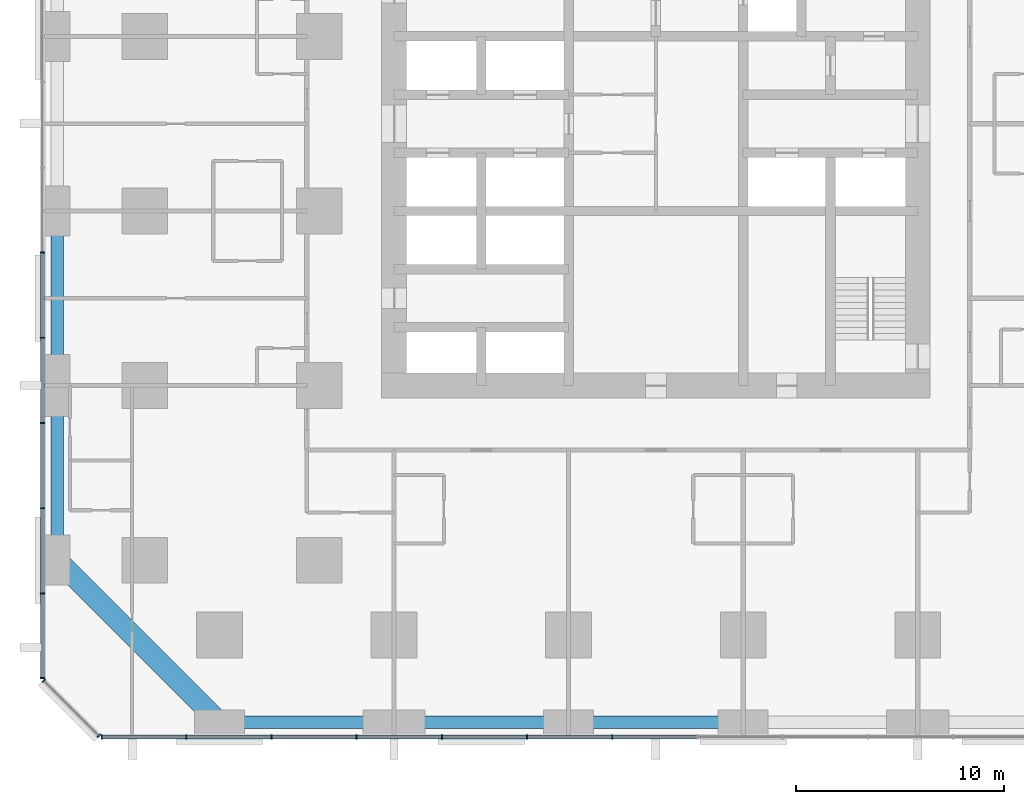
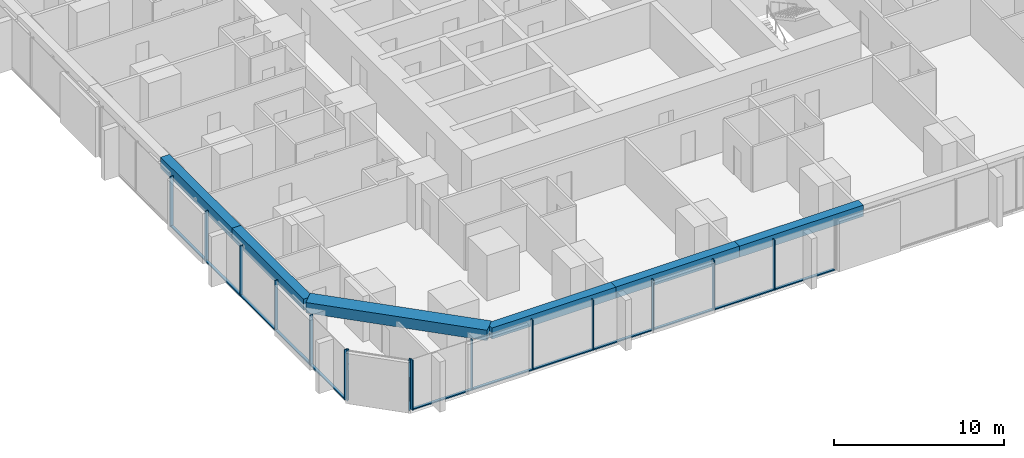
# One storey, part 2 of 13: 27 members, 6 beams, 3 elements without a shape of their own.
"""IFC4 building model written with IfcOpenShell, lengths in metres."""

from ifc_helpers import new_model, si_unit, direction, frame, origin, origin_2d, place, context, subcontext, project, spatial, rectangle, extrude, material, material_profile, profile_set, type_object, element, aggregate, save


model = new_model("IFC4")

# Units and contexts
model_context = context("Model", 3, precision=1e-05, world=origin(), true_north=direction((0.0, 1.0)))
body_context = subcontext(model_context, "Body", "Model", "MODEL_VIEW")
ifc_project = project(units=[si_unit("LENGTHUNIT", "METRE"), si_unit("AREAUNIT", "SQUARE_METRE"), si_unit("VOLUMEUNIT", "CUBIC_METRE"), si_unit("PLANEANGLEUNIT", "RADIAN"), si_unit("MASSUNIT", "GRAM", prefix="KILO")], contexts=[model_context])

# Site, building, storey
site_placement = place(None, origin())
site = spatial("IfcSite", under=ifc_project, at=site_placement, CompositionType="ELEMENT")
building_placement = place(site_placement, origin())
building = spatial("IfcBuilding", under=site, at=building_placement, Name="Dunama Terrace Hotel", CompositionType="ELEMENT")
storey_placement = place(building_placement, frame((0.0, 0.0, 97.199951171875)))
storey = spatial("IfcBuildingStorey", under=building, at=storey_placement, Name="L24", CompositionType="ELEMENT", Elevation=97.199951171875)

# Curtain wall, members
ifc_material_1 = material(Name="Aluminium curtain wall system", Category="aluminium")
curtain_wall_type = type_object("IfcCurtainWallType", Name="Unitised fritted glass wall CW-B", PredefinedType="NOTDEFINED", material=ifc_material_1)
curtain_wall_1_placement = place(storey_placement, origin())
curtain_wall_1 = element("IfcCurtainWall", 1, at=curtain_wall_1_placement, inside=storey, type_object=curtain_wall_type, Name="Unitised fritted glass wall CW-B L24", PredefinedType="NOTDEFINED")
ifc_material_2 = material(Name="Aluminium mullion", Category="aluminium")
ifc_material_profile_1 = material_profile(ifc_material_2, rectangle(XDim=0.06494140625, YDim=0.219970703125, at=origin_2d()), Name="CWB MULLION 65X220")
ifc_profile_set_1 = profile_set([ifc_material_profile_1], Name="Aluminium mullion")
member_type_1 = type_object("IfcMemberType", Name="CWB mullion 65x220", PredefinedType="MULLION", material=ifc_profile_set_1)
member_1_placement = place(storey_placement, frame((2.73291015625, -0.110107421875, 0.0), z_axis=(0.0, 0.0, 1.0), x_axis=(1.0, 0.0, 0.0)))
member_1 = element("IfcMember", 2, at=member_1_placement, type_object=member_type_1, Name="CWB mullion", PredefinedType="MULLION", context=body_context, shape_type="SweptSolid", body=[
    extrude(rectangle(XDim=0.06494140625, YDim=0.219970703125, at=origin_2d()), origin(), (0.0, 0.0, 1.0), 3.60009765625),
])
member_2_placement = place(storey_placement, frame((6.800048828125, -0.110107421875, 0.0), z_axis=(0.0, 0.0, 1.0), x_axis=(1.0, 0.0, 0.0)))
member_2 = element("IfcMember", 3, at=member_2_placement, type_object=member_type_1, Name="CWB mullion", PredefinedType="MULLION", context=body_context, shape_type="SweptSolid", body=[
    extrude(rectangle(XDim=0.06494140625, YDim=0.219970703125, at=origin_2d()), origin(), (0.0, 0.0, 1.0), 3.60009765625),
])
member_3_placement = place(storey_placement, frame((10.89990234375, -0.110107421875, 0.0), z_axis=(0.0, 0.0, 1.0), x_axis=(1.0, 0.0, 0.0)))
member_3 = element("IfcMember", 4, at=member_3_placement, type_object=member_type_1, Name="CWB mullion", PredefinedType="MULLION", context=body_context, shape_type="SweptSolid", body=[
    extrude(rectangle(XDim=0.06494140625, YDim=0.219970703125, at=origin_2d()), origin(), (0.0, 0.0, 1.0), 3.60009765625),
])
member_4_placement = place(storey_placement, frame((15.0, -0.110107421875, 0.0), z_axis=(0.0, 0.0, 1.0), x_axis=(1.0, 0.0, 0.0)))
member_4 = element("IfcMember", 5, at=member_4_placement, type_object=member_type_1, Name="CWB mullion", PredefinedType="MULLION", context=body_context, shape_type="SweptSolid", body=[
    extrude(rectangle(XDim=0.06494140625, YDim=0.219970703125, at=origin_2d()), origin(), (0.0, 0.0, 1.0), 3.60009765625),
])
member_5_placement = place(storey_placement, frame((19.10009765625, -0.110107421875, 0.0), z_axis=(0.0, 0.0, 1.0), x_axis=(1.0, 0.0, 0.0)))
member_5 = element("IfcMember", 6, at=member_5_placement, type_object=member_type_1, Name="CWB mullion", PredefinedType="MULLION", context=body_context, shape_type="SweptSolid", body=[
    extrude(rectangle(XDim=0.06494140625, YDim=0.219970703125, at=origin_2d()), origin(), (0.0, 0.0, 1.0), 3.60009765625),
])
member_6_placement = place(storey_placement, frame((23.199951171875, -0.110107421875, 0.0), z_axis=(0.0, 0.0, 1.0), x_axis=(1.0, 0.0, 0.0)))
member_6 = element("IfcMember", 7, at=member_6_placement, type_object=member_type_1, Name="CWB mullion", PredefinedType="MULLION", context=body_context, shape_type="SweptSolid", body=[
    extrude(rectangle(XDim=0.06494140625, YDim=0.219970703125, at=origin_2d()), origin(), (0.0, 0.0, 1.0), 3.60009765625),
])
member_7_placement = place(storey_placement, frame((27.300048828125, -0.110107421875, 0.0), z_axis=(0.0, 0.0, 1.0), x_axis=(1.0, 0.0, 0.0)))
member_7 = element("IfcMember", 8, at=member_7_placement, type_object=member_type_1, Name="CWB mullion", PredefinedType="MULLION", context=body_context, shape_type="SweptSolid", body=[
    extrude(rectangle(XDim=0.06494140625, YDim=0.219970703125, at=origin_2d()), origin(), (0.0, 0.0, 1.0), 3.60009765625),
])

curtain_wall_2_placement = place(storey_placement, origin())
curtain_wall_2 = element("IfcCurtainWall", 9, at=curtain_wall_2_placement, inside=storey, type_object=curtain_wall_type, Name="Unitised fritted glass wall CW-B L24", PredefinedType="NOTDEFINED")
member_8_placement = place(storey_placement, frame((-0.110107421875, 23.199951171875, 0.0), z_axis=(0.0, 0.0, 1.0), x_axis=(0.0, -1.0, 0.0)))
member_8 = element("IfcMember", 10, at=member_8_placement, type_object=member_type_1, Name="CWB mullion", PredefinedType="MULLION", context=body_context, shape_type="SweptSolid", body=[
    extrude(rectangle(XDim=0.06494140625, YDim=0.219970703125, at=origin_2d()), origin(), (0.0, 0.0, 1.0), 3.60009765625),
])
member_9_placement = place(storey_placement, frame((-0.110107421875, 19.10009765625, 0.0), z_axis=(0.0, 0.0, 1.0), x_axis=(0.0, -1.0, 0.0)))
member_9 = element("IfcMember", 11, at=member_9_placement, type_object=member_type_1, Name="CWB mullion", PredefinedType="MULLION", context=body_context, shape_type="SweptSolid", body=[
    extrude(rectangle(XDim=0.06494140625, YDim=0.219970703125, at=origin_2d()), origin(), (0.0, 0.0, 1.0), 3.60009765625),
])
member_10_placement = place(storey_placement, frame((-0.110107421875, 15.0, 0.0), z_axis=(0.0, 0.0, 1.0), x_axis=(0.0, -1.0, 0.0)))
member_10 = element("IfcMember", 12, at=member_10_placement, type_object=member_type_1, Name="CWB mullion", PredefinedType="MULLION", context=body_context, shape_type="SweptSolid", body=[
    extrude(rectangle(XDim=0.06494140625, YDim=0.219970703125, at=origin_2d()), origin(), (0.0, 0.0, 1.0), 3.60009765625),
])
member_11_placement = place(storey_placement, frame((-0.110107421875, 10.89990234375, 0.0), z_axis=(0.0, 0.0, 1.0), x_axis=(0.0, -1.0, 0.0)))
member_11 = element("IfcMember", 13, at=member_11_placement, type_object=member_type_1, Name="CWB mullion", PredefinedType="MULLION", context=body_context, shape_type="SweptSolid", body=[
    extrude(rectangle(XDim=0.06494140625, YDim=0.219970703125, at=origin_2d()), origin(), (0.0, 0.0, 1.0), 3.60009765625),
])
member_12_placement = place(storey_placement, frame((-0.110107421875, 6.800048828125, 0.0), z_axis=(0.0, 0.0, 1.0), x_axis=(0.0, -1.0, 0.0)))
member_12 = element("IfcMember", 14, at=member_12_placement, type_object=member_type_1, Name="CWB mullion", PredefinedType="MULLION", context=body_context, shape_type="SweptSolid", body=[
    extrude(rectangle(XDim=0.06494140625, YDim=0.219970703125, at=origin_2d()), origin(), (0.0, 0.0, 1.0), 3.60009765625),
])
member_13_placement = place(storey_placement, frame((-0.110107421875, 2.73291015625, 0.0), z_axis=(0.0, 0.0, 1.0), x_axis=(0.0, -1.0, 0.0)))
member_13 = element("IfcMember", 15, at=member_13_placement, type_object=member_type_1, Name="CWB mullion", PredefinedType="MULLION", context=body_context, shape_type="SweptSolid", body=[
    extrude(rectangle(XDim=0.06494140625, YDim=0.219970703125, at=origin_2d()), origin(), (0.0, 0.0, 1.0), 3.60009765625),
])

curtain_wall_3_placement = place(storey_placement, origin())
curtain_wall_3 = element("IfcCurtainWall", 16, at=curtain_wall_3_placement, inside=storey, type_object=curtain_wall_type, Name="Unitised fritted glass wall CW-B L24", PredefinedType="NOTDEFINED")
member_14_placement = place(storey_placement, frame((-0.054931640625, 2.59912109375, 0.0), z_axis=(0.0, 0.0, 1.0), x_axis=(0.707106781187, -0.707106781187, 0.0)))
member_14 = element("IfcMember", 17, at=member_14_placement, type_object=member_type_1, Name="CWB mullion", PredefinedType="MULLION", context=body_context, shape_type="SweptSolid", body=[
    extrude(rectangle(XDim=0.06494140625, YDim=0.219970703125, at=origin_2d()), origin(), (0.0, 0.0, 1.0), 3.60009765625),
])
member_15_placement = place(storey_placement, frame((2.59912109375, -0.054931640625, 0.0), z_axis=(0.0, 0.0, 1.0), x_axis=(0.707106781187, -0.707106781187, 0.0)))
member_15 = element("IfcMember", 18, at=member_15_placement, type_object=member_type_1, Name="CWB mullion", PredefinedType="MULLION", context=body_context, shape_type="SweptSolid", body=[
    extrude(rectangle(XDim=0.06494140625, YDim=0.219970703125, at=origin_2d()), origin(), (0.0, 0.0, 1.0), 3.60009765625),
])
aggregate(curtain_wall_3, [member_14, member_15])

# Member
ifc_material_3 = material(Name="Aluminium transom", Category="aluminium")
ifc_material_profile_2 = material_profile(ifc_material_3, rectangle(XDim=0.179931640625, YDim=0.080078125, at=origin_2d()), Name="CWB TRANSOM 180X80")
ifc_profile_set_2 = profile_set([ifc_material_profile_2], Name="Aluminium transom")
member_type_2 = type_object("IfcMemberType", Name="CWB transom 180x80", PredefinedType="USERDEFINED", material=ifc_profile_set_2)
member_16_placement = place(storey_placement, frame((2.764892578125, -0.110107421875, 0.0400390625), z_axis=(1.0, 0.0, 0.0), x_axis=(0.0, 1.0, 0.0)))
member_16 = element("IfcMember", 19, at=member_16_placement, type_object=member_type_2, Name="CWB transom", ObjectType="TRANSOM", PredefinedType="USERDEFINED", context=body_context, shape_type="SweptSolid", body=[
    extrude(rectangle(XDim=0.179931640625, YDim=0.080078125, at=origin_2d()), origin(), (0.0, 0.0, 1.0), 4.003173828125),
])

member_17_placement = place(storey_placement, frame((6.83203125, -0.110107421875, 0.0400390625), z_axis=(1.0, 0.0, 0.0), x_axis=(0.0, 1.0, 0.0)))
member_17 = element("IfcMember", 20, at=member_17_placement, type_object=member_type_2, Name="CWB transom", ObjectType="TRANSOM", PredefinedType="USERDEFINED", context=body_context, shape_type="SweptSolid", body=[
    extrude(rectangle(XDim=0.179931640625, YDim=0.080078125, at=origin_2d()), origin(), (0.0, 0.0, 1.0), 4.034912109375),
])

member_18_placement = place(storey_placement, frame((10.93310546875, -0.110107421875, 0.0400390625), z_axis=(1.0, 0.0, 0.0), x_axis=(0.0, 1.0, 0.0)))
member_18 = element("IfcMember", 21, at=member_18_placement, type_object=member_type_2, Name="CWB transom", ObjectType="TRANSOM", PredefinedType="USERDEFINED", context=body_context, shape_type="SweptSolid", body=[
    extrude(rectangle(XDim=0.179931640625, YDim=0.080078125, at=origin_2d()), origin(), (0.0, 0.0, 1.0), 4.033935546875),
])

member_19_placement = place(storey_placement, frame((15.031982421875, -0.110107421875, 0.0400390625), z_axis=(1.0, 0.0, 0.0), x_axis=(0.0, 1.0, 0.0)))
member_19 = element("IfcMember", 22, at=member_19_placement, type_object=member_type_2, Name="CWB transom", ObjectType="TRANSOM", PredefinedType="USERDEFINED", context=body_context, shape_type="SweptSolid", body=[
    extrude(rectangle(XDim=0.179931640625, YDim=0.080078125, at=origin_2d()), origin(), (0.0, 0.0, 1.0), 4.034912109375),
])

member_20_placement = place(storey_placement, frame((19.132080078125, -0.110107421875, 0.0400390625), z_axis=(1.0, 0.0, 0.0), x_axis=(0.0, 1.0, 0.0)))
member_20 = element("IfcMember", 23, at=member_20_placement, type_object=member_type_2, Name="CWB transom", ObjectType="TRANSOM", PredefinedType="USERDEFINED", context=body_context, shape_type="SweptSolid", body=[
    extrude(rectangle(XDim=0.179931640625, YDim=0.080078125, at=origin_2d()), origin(), (0.0, 0.0, 1.0), 4.035888671875),
])

member_21_placement = place(storey_placement, frame((23.23193359375, -0.110107421875, 0.0400390625), z_axis=(1.0, 0.0, 0.0), x_axis=(0.0, 1.0, 0.0)))
member_21 = element("IfcMember", 24, at=member_21_placement, type_object=member_type_2, Name="CWB transom", ObjectType="TRANSOM", PredefinedType="USERDEFINED", context=body_context, shape_type="SweptSolid", body=[
    extrude(rectangle(XDim=0.179931640625, YDim=0.080078125, at=origin_2d()), origin(), (0.0, 0.0, 1.0), 4.03515625),
])

member_22_placement = place(storey_placement, frame((27.33203125, -0.110107421875, 0.0400390625), z_axis=(1.0, 0.0, 0.0), x_axis=(0.0, 1.0, 0.0)))
member_22 = element("IfcMember", 25, at=member_22_placement, type_object=member_type_2, Name="CWB transom", ObjectType="TRANSOM", PredefinedType="USERDEFINED", context=body_context, shape_type="SweptSolid", body=[
    extrude(rectangle(XDim=0.179931640625, YDim=0.080078125, at=origin_2d()), origin(), (0.0, 0.0, 1.0), 4.034912109375),
])

aggregate(curtain_wall_1, [member_1, member_2, member_3, member_4, member_5, member_6, member_7, member_16, member_17, member_18, member_19, member_20, member_21, member_22])

member_23_placement = place(storey_placement, frame((-0.110107421875, 23.16796875, 0.0400390625), z_axis=(0.0, -1.0, 0.0), x_axis=(1.0, 0.0, 0.0)))
member_23 = element("IfcMember", 26, at=member_23_placement, type_object=member_type_2, Name="CWB transom", ObjectType="TRANSOM", PredefinedType="USERDEFINED", context=body_context, shape_type="SweptSolid", body=[
    extrude(rectangle(XDim=0.179931640625, YDim=0.080078125, at=origin_2d()), origin(), (0.0, 0.0, 1.0), 4.034912109375),
])

member_24_placement = place(storey_placement, frame((-0.110107421875, 19.068115234375, 0.0400390625), z_axis=(0.0, -1.0, 0.0), x_axis=(1.0, 0.0, 0.0)))
member_24 = element("IfcMember", 27, at=member_24_placement, type_object=member_type_2, Name="CWB transom", ObjectType="TRANSOM", PredefinedType="USERDEFINED", context=body_context, shape_type="SweptSolid", body=[
    extrude(rectangle(XDim=0.179931640625, YDim=0.080078125, at=origin_2d()), origin(), (0.0, 0.0, 1.0), 4.0361328125),
])

member_25_placement = place(storey_placement, frame((-0.110107421875, 14.968017578125, 0.0400390625), z_axis=(0.0, -1.0, 0.0), x_axis=(1.0, 0.0, 0.0)))
member_25 = element("IfcMember", 28, at=member_25_placement, type_object=member_type_2, Name="CWB transom", ObjectType="TRANSOM", PredefinedType="USERDEFINED", context=body_context, shape_type="SweptSolid", body=[
    extrude(rectangle(XDim=0.179931640625, YDim=0.080078125, at=origin_2d()), origin(), (0.0, 0.0, 1.0), 4.0361328125),
])

member_26_placement = place(storey_placement, frame((-0.110107421875, 10.866943359375, 0.0400390625), z_axis=(0.0, -1.0, 0.0), x_axis=(1.0, 0.0, 0.0)))
member_26 = element("IfcMember", 29, at=member_26_placement, type_object=member_type_2, Name="CWB transom", ObjectType="TRANSOM", PredefinedType="USERDEFINED", context=body_context, shape_type="SweptSolid", body=[
    extrude(rectangle(XDim=0.179931640625, YDim=0.080078125, at=origin_2d()), origin(), (0.0, 0.0, 1.0), 4.033935546875),
])

member_27_placement = place(storey_placement, frame((-0.110107421875, 6.76806640625, 0.0400390625), z_axis=(0.0, -1.0, 0.0), x_axis=(1.0, 0.0, 0.0)))
member_27 = element("IfcMember", 30, at=member_27_placement, type_object=member_type_2, Name="CWB transom", ObjectType="TRANSOM", PredefinedType="USERDEFINED", context=body_context, shape_type="SweptSolid", body=[
    extrude(rectangle(XDim=0.179931640625, YDim=0.080078125, at=origin_2d()), origin(), (0.0, 0.0, 1.0), 4.003173828125),
])

aggregate(curtain_wall_2, [member_8, member_9, member_10, member_11, member_12, member_13, member_23, member_24, member_25, member_26, member_27])

# Beams
ifc_material_4 = material(Name="Concrete C50/60", Category="concrete")
ifc_material_profile_3 = material_profile(ifc_material_4, rectangle(XDim=1.0, YDim=0.75, at=origin_2d()), Name="RC 1000x750")
ifc_profile_set_3 = profile_set([ifc_material_profile_3], Name="Concrete C50/60")
beam_type_1 = type_object("IfcBeamType", Name="Edge beam RC 1000x750", PredefinedType="SPANDREL", material=ifc_profile_set_3)
beam_1_placement = place(storey_placement, frame((8.39990234375, 0.60009765625, 3.22509765625), z_axis=(-0.707106781187, 0.707106781187, 0.0), x_axis=(-0.707106781187, -0.707106781187, 0.0)))
element("IfcBeam", 31, at=beam_1_placement, inside=storey, type_object=beam_type_1, Name="Corner edge beam under L25", PredefinedType="SPANDREL", context=body_context, shape_type="SweptSolid", body=[
    extrude(rectangle(XDim=1.0, YDim=0.75, at=origin_2d()), origin(), (0.0, 0.0, 1.0), 11.030517578125),
])
ifc_material_5 = material(Name="Concrete C40/50", Category="concrete")
ifc_material_profile_4 = material_profile(ifc_material_5, rectangle(XDim=0.60009765625, YDim=0.800048828125, at=origin_2d()), Name="RC 600x800")
ifc_profile_set_4 = profile_set([ifc_material_profile_4], Name="Concrete C40/50")
beam_type_2 = type_object("IfcBeamType", Name="Edge beam RC 600x800", PredefinedType="SPANDREL", material=ifc_profile_set_4)
beam_2_placement = place(storey_placement, frame((0.60009765625, 8.39990234375, 3.199951171875), z_axis=(0.0, 1.0, 0.0), x_axis=(-1.0, 0.0, 0.0)))
element("IfcBeam", 32, at=beam_2_placement, inside=storey, type_object=beam_type_2, Name="Edge beam under L25", PredefinedType="SPANDREL", context=body_context, shape_type="SweptSolid", body=[
    extrude(rectangle(XDim=0.60009765625, YDim=0.800048828125, at=origin_2d()), origin(), (0.0, 0.0, 1.0), 8.400146484375),
])
beam_3_placement = place(storey_placement, frame((0.60009765625, 16.800048828125, 3.199951171875), z_axis=(0.0, 1.0, 0.0), x_axis=(-1.0, 0.0, 0.0)))
element("IfcBeam", 33, at=beam_3_placement, inside=storey, type_object=beam_type_2, Name="Edge beam under L25", PredefinedType="SPANDREL", context=body_context, shape_type="SweptSolid", body=[
    extrude(rectangle(XDim=0.60009765625, YDim=0.800048828125, at=origin_2d()), origin(), (0.0, 0.0, 1.0), 8.39990234375),
])
beam_4_placement = place(storey_placement, frame((8.39990234375, 0.60009765625, 3.199951171875), z_axis=(1.0, 0.0, 0.0), x_axis=(0.0, 1.0, 0.0)))
element("IfcBeam", 34, at=beam_4_placement, inside=storey, type_object=beam_type_2, Name="Edge beam under L25", PredefinedType="SPANDREL", context=body_context, shape_type="SweptSolid", body=[
    extrude(rectangle(XDim=0.60009765625, YDim=0.800048828125, at=origin_2d()), origin(), (0.0, 0.0, 1.0), 8.400146484375),
])
beam_5_placement = place(storey_placement, frame((16.800048828125, 0.60009765625, 3.199951171875), z_axis=(1.0, 0.0, 0.0), x_axis=(0.0, 1.0, 0.0)))
element("IfcBeam", 35, at=beam_5_placement, inside=storey, type_object=beam_type_2, Name="Edge beam under L25", PredefinedType="SPANDREL", context=body_context, shape_type="SweptSolid", body=[
    extrude(rectangle(XDim=0.60009765625, YDim=0.800048828125, at=origin_2d()), origin(), (0.0, 0.0, 1.0), 8.39990234375),
])
beam_6_placement = place(storey_placement, frame((25.199951171875, 0.60009765625, 3.199951171875), z_axis=(1.0, 0.0, 0.0), x_axis=(0.0, 1.0, 0.0)))
element("IfcBeam", 36, at=beam_6_placement, inside=storey, type_object=beam_type_2, Name="Edge beam under L25", PredefinedType="SPANDREL", context=body_context, shape_type="SweptSolid", body=[
    extrude(rectangle(XDim=0.60009765625, YDim=0.800048828125, at=origin_2d()), origin(), (0.0, 0.0, 1.0), 8.400146484375),
])

save(model, "model.ifc")
